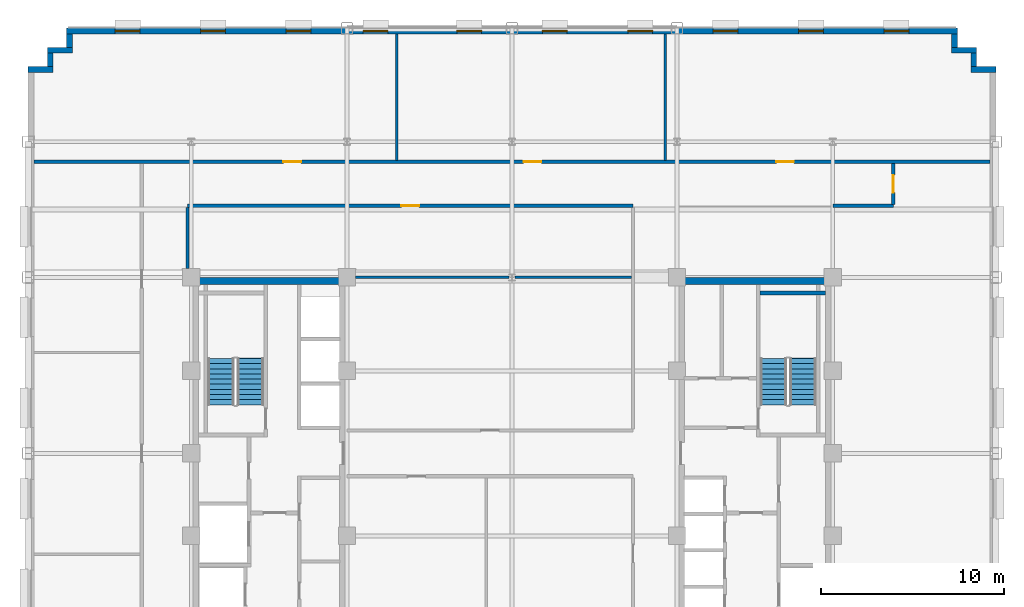
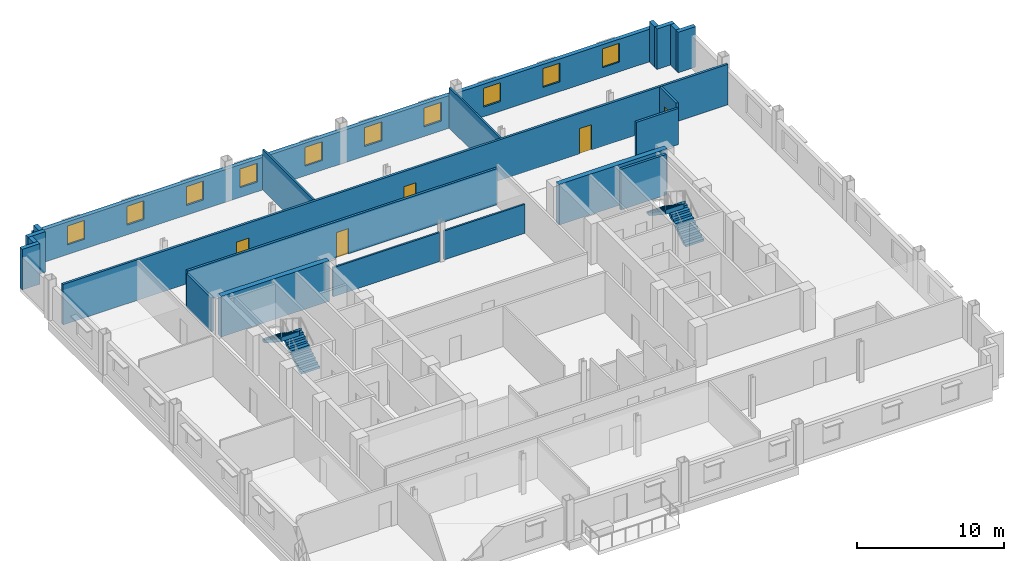
# One storey, part 9 of 13: 21 walls, 10 windows, 5 doors, 4 stair flights, 15 openings, 2 elements without a shape of their own.
"""IFC4 building model written with IfcOpenShell, lengths in metres."""

from ifc_helpers import new_model, si_unit, direction, frame, frame_2d, origin, place, context, subcontext, project, spatial, polyline, rectangle, outline, extrude, source, transform, mapped, material, layer, layer_set, type_object, type_shapes, element, fill, aggregate, save


model = new_model("IFC4")

# Units and contexts
model_context = context("Model", 3, precision=1e-05, world=origin(), true_north=direction((0.0, 1.0)))
body_context = subcontext(model_context, "Body", "Model", "MODEL_VIEW")
ifc_project = project(units=[si_unit("LENGTHUNIT", "METRE"), si_unit("AREAUNIT", "SQUARE_METRE"), si_unit("VOLUMEUNIT", "CUBIC_METRE"), si_unit("PLANEANGLEUNIT", "RADIAN"), si_unit("MASSUNIT", "GRAM", prefix="KILO")], contexts=[model_context])

# Site, building, storey
site_placement = place(None, origin())
site = spatial("IfcSite", under=ifc_project, at=site_placement, CompositionType="ELEMENT")
building_placement = place(site_placement, origin())
building = spatial("IfcBuilding", under=site, at=building_placement, Name="Nuvemarco Arch Tower", CompositionType="ELEMENT")
storey_placement = place(building_placement, frame((0.0, 0.0, 153.050048828125)))
storey = spatial("IfcBuildingStorey", under=building, at=storey_placement, Name="L40", CompositionType="ELEMENT", Elevation=153.050048828125)

# Walls
ifc_material_1 = material(Name="Precast concrete C45/55", Category="concrete")
ifc_layer_1 = layer(ifc_material_1, 0.320068359375, Name="EW-MID-320")
ifc_layer_set_1 = layer_set([ifc_layer_1], Name="Precast concrete C45/55")
wall_type_1 = type_object("IfcWallType", Name="EW-MID-320", PredefinedType="STANDARD", material=ifc_layer_set_1)
wall_1_placement = place(storey_placement, frame((25.030029296875, 20.93994140625, 0.0), z_axis=(0.0, 0.0, 1.0), x_axis=(1.0, 0.0, 0.0)))
element("IfcWall", 1, at=wall_1_placement, inside=storey, type_object=wall_type_1, Name="L40 exterior precast facade wall 7", PredefinedType="STANDARD", context=body_context, shape_type="SweptSolid", body=[
    extrude(rectangle(XDim=1.369873046875, YDim=0.320068359375, at=frame_2d((0.68505859375, 0.0))), origin(), (0.0, 0.0, 1.0), 3.35986328125),
])
wall_2_placement = place(storey_placement, frame((25.18994140625, 21.095947265625, 0.0), z_axis=(0.0, 0.0, 1.0), x_axis=(0.0, 1.0, 0.0)))
element("IfcWall", 2, at=wall_2_placement, inside=storey, type_object=wall_type_1, Name="L40 exterior precast facade wall 8", PredefinedType="STANDARD", context=body_context, shape_type="SweptSolid", body=[
    extrude(rectangle(XDim=0.738037109375, YDim=0.320068359375, at=frame_2d((0.369140625, 0.0))), origin(), (0.0, 0.0, 1.0), 3.35986328125),
])
wall_3_placement = place(storey_placement, frame((23.97998046875, 21.989990234375, 0.0), z_axis=(0.0, 0.0, 1.0), x_axis=(1.0, 0.0, 0.0)))
element("IfcWall", 3, at=wall_3_placement, inside=storey, type_object=wall_type_1, Name="L40 exterior precast facade wall 9", PredefinedType="STANDARD", context=body_context, shape_type="SweptSolid", body=[
    extrude(rectangle(XDim=1.3701171875, YDim=0.320068359375, at=frame_2d((0.68505859375, 0.0))), origin(), (0.0, 0.0, 1.0), 3.35986328125),
])
wall_4_placement = place(storey_placement, frame((24.139892578125, 22.14599609375, 0.0), z_axis=(0.0, 0.0, 1.0), x_axis=(0.0, 1.0, 0.0)))
element("IfcWall", 4, at=wall_4_placement, inside=storey, type_object=wall_type_1, Name="L40 exterior precast facade wall 10", PredefinedType="STANDARD", context=body_context, shape_type="SweptSolid", body=[
    extrude(rectangle(XDim=0.738037109375, YDim=0.320068359375, at=frame_2d((0.369140625, 0.0))), origin(), (0.0, 0.0, 1.0), 3.35986328125),
])

# Wall, openings, windows
wall_5_placement = place(storey_placement, frame((-24.300048828125, 23.0400390625, 0.0), z_axis=(0.0, 0.0, 1.0), x_axis=(1.0, 0.0, 0.0)))
wall_5 = element("IfcWall", 5, at=wall_5_placement, inside=storey, type_object=wall_type_1, Name="L40 exterior precast facade wall 11", PredefinedType="STANDARD", context=body_context, shape_type="SweptSolid", body=[
    extrude(rectangle(XDim=48.60009765625, YDim=0.320068359375, at=frame_2d((24.300048828125, 0.0))), origin(), (0.0, 0.0, 1.0), 2.704833984375),
])
opening_1_placement = place(wall_5_placement, frame((2.655029296875, 0.0, 0.800048828125)))
opening_1 = element("IfcOpeningElement", 6, at=opening_1_placement, cuts=wall_5, Name="Opening WN-6", PredefinedType="OPENING", context=body_context, shape_type="SweptSolid", body=[
    extrude(rectangle(XDim=1.35009765625, YDim=1.56005859375, at=frame_2d((0.675048828125, 0.780029296875))), frame((0.0, 0.169921875, 0.0), z_axis=(0.0, -1.0, 0.0), x_axis=(1.0, 0.0, 0.0)), (0.0, 0.0, 1.0), 0.340087890625),
])
opening_2_placement = place(wall_5_placement, frame((7.31494140625, 0.0, 0.800048828125)))
opening_2 = element("IfcOpeningElement", 7, at=opening_2_placement, cuts=wall_5, Name="Opening WN-6", PredefinedType="OPENING", context=body_context, shape_type="SweptSolid", body=[
    extrude(rectangle(XDim=1.35009765625, YDim=1.56005859375, at=frame_2d((0.675048828125, 0.780029296875))), frame((0.0, 0.169921875, 0.0), z_axis=(0.0, -1.0, 0.0), x_axis=(1.0, 0.0, 0.0)), (0.0, 0.0, 1.0), 0.340087890625),
])
opening_3_placement = place(wall_5_placement, frame((11.97509765625, 0.0, 0.800048828125)))
opening_3 = element("IfcOpeningElement", 8, at=opening_3_placement, cuts=wall_5, Name="Opening WN-6", PredefinedType="OPENING", context=body_context, shape_type="SweptSolid", body=[
    extrude(rectangle(XDim=1.35009765625, YDim=1.56005859375, at=frame_2d((0.675048828125, 0.780029296875))), frame((0.0, 0.169921875, 0.0), z_axis=(0.0, -1.0, 0.0), x_axis=(1.0, 0.0, 0.0)), (0.0, 0.0, 1.0), 0.340087890625),
])
opening_4_placement = place(wall_5_placement, frame((16.18505859375, 0.0, 0.800048828125)))
opening_4 = element("IfcOpeningElement", 9, at=opening_4_placement, cuts=wall_5, Name="Opening WN-6", PredefinedType="OPENING", context=body_context, shape_type="SweptSolid", body=[
    extrude(rectangle(XDim=1.35009765625, YDim=1.56005859375, at=frame_2d((0.675048828125, 0.780029296875))), frame((0.0, 0.169921875, 0.0), z_axis=(0.0, -1.0, 0.0), x_axis=(1.0, 0.0, 0.0)), (0.0, 0.0, 1.0), 0.340087890625),
])
opening_5_placement = place(wall_5_placement, frame((21.294921875, 0.0, 0.800048828125)))
opening_5 = element("IfcOpeningElement", 10, at=opening_5_placement, cuts=wall_5, Name="Opening WN-6", PredefinedType="OPENING", context=body_context, shape_type="SweptSolid", body=[
    extrude(rectangle(XDim=1.35009765625, YDim=1.56005859375, at=frame_2d((0.675048828125, 0.780029296875))), frame((0.0, 0.169921875, 0.0), z_axis=(0.0, -1.0, 0.0), x_axis=(1.0, 0.0, 0.0)), (0.0, 0.0, 1.0), 0.340087890625),
])
opening_6_placement = place(wall_5_placement, frame((25.955078125, 0.0, 0.800048828125)))
opening_6 = element("IfcOpeningElement", 11, at=opening_6_placement, cuts=wall_5, Name="Opening WN-6", PredefinedType="OPENING", context=body_context, shape_type="SweptSolid", body=[
    extrude(rectangle(XDim=1.35009765625, YDim=1.56005859375, at=frame_2d((0.675048828125, 0.780029296875))), frame((0.0, 0.169921875, 0.0), z_axis=(0.0, -1.0, 0.0), x_axis=(1.0, 0.0, 0.0)), (0.0, 0.0, 1.0), 0.340087890625),
])
opening_7_placement = place(wall_5_placement, frame((30.614990234375, 0.0, 0.800048828125)))
opening_7 = element("IfcOpeningElement", 12, at=opening_7_placement, cuts=wall_5, Name="Opening WN-6", PredefinedType="OPENING", context=body_context, shape_type="SweptSolid", body=[
    extrude(rectangle(XDim=1.35009765625, YDim=1.56005859375, at=frame_2d((0.675048828125, 0.780029296875))), frame((0.0, 0.169921875, 0.0), z_axis=(0.0, -1.0, 0.0), x_axis=(1.0, 0.0, 0.0)), (0.0, 0.0, 1.0), 0.340087890625),
])
opening_8_placement = place(wall_5_placement, frame((35.27490234375, 0.0, 0.800048828125)))
opening_8 = element("IfcOpeningElement", 13, at=opening_8_placement, cuts=wall_5, Name="Opening WN-6", PredefinedType="OPENING", context=body_context, shape_type="SweptSolid", body=[
    extrude(rectangle(XDim=1.35009765625, YDim=1.56005859375, at=frame_2d((0.675048828125, 0.780029296875))), frame((0.0, 0.169921875, 0.0), z_axis=(0.0, -1.0, 0.0), x_axis=(1.0, 0.0, 0.0)), (0.0, 0.0, 1.0), 0.340087890625),
])
opening_9_placement = place(wall_5_placement, frame((39.93505859375, 0.0, 0.800048828125)))
opening_9 = element("IfcOpeningElement", 14, at=opening_9_placement, cuts=wall_5, Name="Opening WN-6", PredefinedType="OPENING", context=body_context, shape_type="SweptSolid", body=[
    extrude(rectangle(XDim=1.35009765625, YDim=1.56005859375, at=frame_2d((0.675048828125, 0.780029296875))), frame((0.0, 0.169921875, 0.0), z_axis=(0.0, -1.0, 0.0), x_axis=(1.0, 0.0, 0.0)), (0.0, 0.0, 1.0), 0.340087890625),
])
opening_10_placement = place(wall_5_placement, frame((44.594970703125, 0.0, 0.800048828125)))
opening_10 = element("IfcOpeningElement", 15, at=opening_10_placement, cuts=wall_5, Name="Opening WN-6", PredefinedType="OPENING", context=body_context, shape_type="SweptSolid", body=[
    extrude(rectangle(XDim=1.35009765625, YDim=1.56005859375, at=frame_2d((0.675048828125, 0.780029296875))), frame((0.0, 0.169921875, 0.0), z_axis=(0.0, -1.0, 0.0), x_axis=(1.0, 0.0, 0.0)), (0.0, 0.0, 1.0), 0.340087890625),
])
ifc_material_2 = material(Name="Insulated solar-control glass", Category="glass")
window_type = type_object("IfcWindowType", Name="WN-MID-1350x1560", PartitioningType="SINGLE_PANEL", PredefinedType="WINDOW", material=ifc_material_2)
shared_shape_1 = source(origin(), body_context, "Body", "SweptSolid", [
    extrude(rectangle(XDim=1.35009765625, YDim=1.56005859375, at=frame_2d((0.675048828125, 0.780029296875))), frame((0.0, 0.030029296875, 0.0), z_axis=(0.0, -1.0, 0.0), x_axis=(1.0, 0.0, 0.0)), (0.0, 0.0, 1.0), 0.06005859375),
])
type_shapes(window_type, [shared_shape_1])
window_1_placement = place(opening_1_placement, origin())
window_1 = element("IfcWindow", 16, at=window_1_placement, inside=storey, type_object=window_type, Name="L40 punched facade window 1", OverallHeight=1.56005859375, OverallWidth=1.35009765625, PartitioningType="SINGLE_PANEL", PredefinedType="WINDOW", context=body_context, shape_type="MappedRepresentation", body=[
    mapped(shared_shape_1, transform((0.0, 0.0, 0.0), scale=1.0)),
])
fill(opening_1, window_1)
window_2_placement = place(opening_2_placement, origin())
window_2 = element("IfcWindow", 17, at=window_2_placement, inside=storey, type_object=window_type, Name="L40 punched facade window 2", OverallHeight=1.56005859375, OverallWidth=1.35009765625, PartitioningType="SINGLE_PANEL", PredefinedType="WINDOW", context=body_context, shape_type="MappedRepresentation", body=[
    mapped(shared_shape_1, transform((0.0, 0.0, 0.0), scale=1.0)),
])
fill(opening_2, window_2)
window_3_placement = place(opening_3_placement, origin())
window_3 = element("IfcWindow", 18, at=window_3_placement, inside=storey, type_object=window_type, Name="L40 punched facade window 3", OverallHeight=1.56005859375, OverallWidth=1.35009765625, PartitioningType="SINGLE_PANEL", PredefinedType="WINDOW", context=body_context, shape_type="MappedRepresentation", body=[
    mapped(shared_shape_1, transform((0.0, 0.0, 0.0), scale=1.0)),
])
fill(opening_3, window_3)
window_4_placement = place(opening_4_placement, origin())
window_4 = element("IfcWindow", 19, at=window_4_placement, inside=storey, type_object=window_type, Name="L40 punched facade window 4", OverallHeight=1.56005859375, OverallWidth=1.35009765625, PartitioningType="SINGLE_PANEL", PredefinedType="WINDOW", context=body_context, shape_type="MappedRepresentation", body=[
    mapped(shared_shape_1, transform((0.0, 0.0, 0.0), scale=1.0)),
])
fill(opening_4, window_4)
window_5_placement = place(opening_5_placement, origin())
window_5 = element("IfcWindow", 20, at=window_5_placement, inside=storey, type_object=window_type, Name="L40 punched facade window 5", OverallHeight=1.56005859375, OverallWidth=1.35009765625, PartitioningType="SINGLE_PANEL", PredefinedType="WINDOW", context=body_context, shape_type="MappedRepresentation", body=[
    mapped(shared_shape_1, transform((0.0, 0.0, 0.0), scale=1.0)),
])
fill(opening_5, window_5)
window_6_placement = place(opening_6_placement, origin())
window_6 = element("IfcWindow", 21, at=window_6_placement, inside=storey, type_object=window_type, Name="L40 punched facade window 6", OverallHeight=1.56005859375, OverallWidth=1.35009765625, PartitioningType="SINGLE_PANEL", PredefinedType="WINDOW", context=body_context, shape_type="MappedRepresentation", body=[
    mapped(shared_shape_1, transform((0.0, 0.0, 0.0), scale=1.0)),
])
fill(opening_6, window_6)
window_7_placement = place(opening_7_placement, origin())
window_7 = element("IfcWindow", 22, at=window_7_placement, inside=storey, type_object=window_type, Name="L40 punched facade window 7", OverallHeight=1.56005859375, OverallWidth=1.35009765625, PartitioningType="SINGLE_PANEL", PredefinedType="WINDOW", context=body_context, shape_type="MappedRepresentation", body=[
    mapped(shared_shape_1, transform((0.0, 0.0, 0.0), scale=1.0)),
])
fill(opening_7, window_7)
window_8_placement = place(opening_8_placement, origin())
window_8 = element("IfcWindow", 23, at=window_8_placement, inside=storey, type_object=window_type, Name="L40 punched facade window 8", OverallHeight=1.56005859375, OverallWidth=1.35009765625, PartitioningType="SINGLE_PANEL", PredefinedType="WINDOW", context=body_context, shape_type="MappedRepresentation", body=[
    mapped(shared_shape_1, transform((0.0, 0.0, 0.0), scale=1.0)),
])
fill(opening_8, window_8)
window_9_placement = place(opening_9_placement, origin())
window_9 = element("IfcWindow", 24, at=window_9_placement, inside=storey, type_object=window_type, Name="L40 punched facade window 9", OverallHeight=1.56005859375, OverallWidth=1.35009765625, PartitioningType="SINGLE_PANEL", PredefinedType="WINDOW", context=body_context, shape_type="MappedRepresentation", body=[
    mapped(shared_shape_1, transform((0.0, 0.0, 0.0), scale=1.0)),
])
fill(opening_9, window_9)
window_10_placement = place(opening_10_placement, origin())
window_10 = element("IfcWindow", 25, at=window_10_placement, inside=storey, type_object=window_type, Name="L40 punched facade window 10", OverallHeight=1.56005859375, OverallWidth=1.35009765625, PartitioningType="SINGLE_PANEL", PredefinedType="WINDOW", context=body_context, shape_type="MappedRepresentation", body=[
    mapped(shared_shape_1, transform((0.0, 0.0, 0.0), scale=1.0)),
])
fill(opening_10, window_10)

# Walls
wall_6_placement = place(storey_placement, frame((-24.139892578125, 22.14599609375, 0.0), z_axis=(0.0, 0.0, 1.0), x_axis=(0.0, 1.0, 0.0)))
element("IfcWall", 26, at=wall_6_placement, inside=storey, type_object=wall_type_1, Name="L40 exterior precast facade wall 12", PredefinedType="STANDARD", context=body_context, shape_type="SweptSolid", body=[
    extrude(rectangle(XDim=0.738037109375, YDim=0.320068359375, at=frame_2d((0.369140625, 0.0))), origin(), (0.0, 0.0, 1.0), 3.35986328125),
])
wall_7_placement = place(storey_placement, frame((-25.35009765625, 21.989990234375, 0.0), z_axis=(0.0, 0.0, 1.0), x_axis=(1.0, 0.0, 0.0)))
element("IfcWall", 27, at=wall_7_placement, inside=storey, type_object=wall_type_1, Name="L40 exterior precast facade wall 13", PredefinedType="STANDARD", context=body_context, shape_type="SweptSolid", body=[
    extrude(rectangle(XDim=1.3701171875, YDim=0.320068359375, at=frame_2d((0.68505859375, 0.0))), origin(), (0.0, 0.0, 1.0), 3.35986328125),
])
wall_8_placement = place(storey_placement, frame((-25.18994140625, 21.095947265625, 0.0), z_axis=(0.0, 0.0, 1.0), x_axis=(0.0, 1.0, 0.0)))
element("IfcWall", 28, at=wall_8_placement, inside=storey, type_object=wall_type_1, Name="L40 exterior precast facade wall 14", PredefinedType="STANDARD", context=body_context, shape_type="SweptSolid", body=[
    extrude(rectangle(XDim=0.738037109375, YDim=0.320068359375, at=frame_2d((0.369140625, 0.0))), origin(), (0.0, 0.0, 1.0), 3.35986328125),
])
wall_9_placement = place(storey_placement, frame((-26.39990234375, 20.93994140625, 0.0), z_axis=(0.0, 0.0, 1.0), x_axis=(1.0, 0.0, 0.0)))
element("IfcWall", 29, at=wall_9_placement, inside=storey, type_object=wall_type_1, Name="L40 exterior precast facade wall 15", PredefinedType="STANDARD", context=body_context, shape_type="SweptSolid", body=[
    extrude(rectangle(XDim=1.369873046875, YDim=0.320068359375, at=frame_2d((0.68505859375, 0.0))), origin(), (0.0, 0.0, 1.0), 3.35986328125),
])
ifc_material_3 = material(Name="Concrete C60/75", Category="concrete")
ifc_layer_2 = layer(ifc_material_3, 0.39990234375, Name="WL-CORE-400")
ifc_layer_set_2 = layer_set([ifc_layer_2], Name="Concrete C60/75")
wall_type_2 = type_object("IfcWallType", Name="WL-CORE-400", PredefinedType="SHEAR", material=ifc_layer_set_2)
for number, where, z_axis, x_axis, name in (
    (30, (-17.5, 9.39990234375, 0.0), (0.0, 0.0, 1.0), (1.0, 0.0, 0.0), "L40 W-core shear wall N"),
    (31, (9.0, 9.39990234375, 0.0), (0.0, 0.0, 1.0), (1.0, 0.0, 0.0), "L40 E-core shear wall N"),
):
    element("IfcWall", number, at=place(storey_placement, frame(where, z_axis=z_axis, x_axis=x_axis)), inside=storey, type_object=wall_type_2, Name=name, PredefinedType="SHEAR", context=body_context, shape_type="SweptSolid", body=[
        extrude(rectangle(XDim=8.5, YDim=0.39990234375, at=frame_2d((4.25, 0.0))), origin(), (0.0, 0.0, 1.0), 3.369873046875),
    ])

# Wall, opening, door
ifc_material_4 = material(Name="Fire-rated gypsum drywall partition")
ifc_layer_3 = layer(ifc_material_4, 0.179931640625, Name="WL-CORR-180")
ifc_layer_set_3 = layer_set([ifc_layer_3], Name="Fire-rated gypsum drywall partition")
wall_type_3 = type_object("IfcWallType", Name="WL-CORR-180", PredefinedType="PARTITIONING", material=ifc_layer_set_3)
wall_10_placement = place(storey_placement, frame((-17.699951171875, 13.5, 0.0), z_axis=(0.0, 0.0, 1.0), x_axis=(1.0, 0.0, 0.0)))
wall_10 = element("IfcWall", 32, at=wall_10_placement, inside=storey, type_object=wall_type_3, Name="L40 interior wall IW-L40-012", PredefinedType="PARTITIONING", context=body_context, shape_type="SweptSolid", body=[
    extrude(rectangle(XDim=24.300048828125, YDim=0.179931640625, at=frame_2d((12.14990234375, 0.0))), origin(), (0.0, 0.0, 1.0), 2.998046875),
])
opening_11_placement = place(wall_10_placement, frame((11.669921875, 0.0, 0.0)))
opening_11 = element("IfcOpeningElement", 33, at=opening_11_placement, cuts=wall_10, Name="Opening FD-5", PredefinedType="OPENING", context=body_context, shape_type="SweptSolid", body=[
    extrude(rectangle(XDim=0.9599609375, YDim=2.10009765625, at=frame_2d((0.47998046875, 1.050048828125))), frame((0.0, 0.099853515625, 0.0), z_axis=(0.0, -1.0, 0.0), x_axis=(1.0, 0.0, 0.0)), (0.0, 0.0, 1.0), 0.199951171875),
])
ifc_material_5 = material(Name="Timber fire door", Category="wood")
door_type = type_object("IfcDoorType", Name="DR-CORR-FD", OperationType="NOTDEFINED", PredefinedType="DOOR", material=ifc_material_5)
shared_shape_2 = source(origin(), body_context, "Body", "SweptSolid", [
    extrude(rectangle(XDim=0.9599609375, YDim=2.10009765625, at=frame_2d((0.47998046875, 1.050048828125))), frame((0.0, 0.02490234375, 0.0), z_axis=(0.0, -1.0, 0.0), x_axis=(1.0, 0.0, 0.0)), (0.0, 0.0, 1.0), 0.050048828125),
])
type_shapes(door_type, [shared_shape_2])
door_1_placement = place(opening_11_placement, origin())
door_1 = element("IfcDoor", 34, at=door_1_placement, inside=storey, type_object=door_type, Name="L40 door DR-L40-IN_N1", OperationType="SINGLE_SWING_RIGHT", OverallHeight=2.10009765625, OverallWidth=0.9599609375, PredefinedType="DOOR", context=body_context, shape_type="MappedRepresentation", body=[
    mapped(shared_shape_2, transform((0.0, 0.0, 0.0), scale=1.0)),
])
fill(opening_11, door_1)

# Wall
wall_11_placement = place(storey_placement, frame((17.5, 13.5, 0.0), z_axis=(0.0, 0.0, 1.0), x_axis=(1.0, 0.0, 0.0)))
element("IfcWall", 35, at=wall_11_placement, inside=storey, type_object=wall_type_3, Name="L40 interior wall IW-L40-013", PredefinedType="PARTITIONING", context=body_context, shape_type="SweptSolid", body=[
    extrude(rectangle(XDim=3.300048828125, YDim=0.179931640625, at=frame_2d((1.64990234375, 0.0))), origin(), (0.0, 0.0, 1.0), 2.998046875),
])

# Wall, openings, doors
wall_12_placement = place(storey_placement, frame((-26.080078125, 15.89990234375, 0.0), z_axis=(0.0, 0.0, 1.0), x_axis=(1.0, 0.0, 0.0)))
wall_12 = element("IfcWall", 36, at=wall_12_placement, inside=storey, type_object=wall_type_3, Name="L40 interior wall IW-L40-014", PredefinedType="PARTITIONING", context=body_context, shape_type="SweptSolid", body=[
    extrude(rectangle(XDim=52.16015625, YDim=0.179931640625, at=frame_2d((26.080078125, 0.0))), origin(), (0.0, 0.0, 1.0), 3.35986328125),
])
opening_12_placement = place(wall_12_placement, frame((26.719970703125, 0.0, 0.0)))
opening_12 = element("IfcOpeningElement", 37, at=opening_12_placement, cuts=wall_12, Name="Opening FD-5", PredefinedType="OPENING", context=body_context, shape_type="SweptSolid", body=[
    extrude(rectangle(XDim=0.9599609375, YDim=2.10009765625, at=frame_2d((0.47998046875, 1.050048828125))), frame((0.0, 0.099853515625, 0.0), z_axis=(0.0, -1.0, 0.0), x_axis=(1.0, 0.0, 0.0)), (0.0, 0.0, 1.0), 0.199951171875),
])
opening_13_placement = place(wall_12_placement, frame((40.5, 0.0, 0.0)))
opening_13 = element("IfcOpeningElement", 38, at=opening_13_placement, cuts=wall_12, Name="Opening FD-5", PredefinedType="OPENING", context=body_context, shape_type="SweptSolid", body=[
    extrude(rectangle(XDim=0.9599609375, YDim=2.10009765625, at=frame_2d((0.47998046875, 1.050048828125))), frame((0.0, 0.099853515625, 0.0), z_axis=(0.0, -1.0, 0.0), x_axis=(1.0, 0.0, 0.0)), (0.0, 0.0, 1.0), 0.199951171875),
])
opening_14_placement = place(wall_12_placement, frame((13.610107421875, 0.0, 0.0)))
opening_14 = element("IfcOpeningElement", 39, at=opening_14_placement, cuts=wall_12, Name="Opening FD-5", PredefinedType="OPENING", context=body_context, shape_type="SweptSolid", body=[
    extrude(rectangle(XDim=0.9599609375, YDim=2.10009765625, at=frame_2d((0.47998046875, 1.050048828125))), frame((0.0, 0.099853515625, 0.0), z_axis=(0.0, -1.0, 0.0), x_axis=(1.0, 0.0, 0.0)), (0.0, 0.0, 1.0), 0.199951171875),
])
door_2_placement = place(opening_12_placement, origin())
door_2 = element("IfcDoor", 40, at=door_2_placement, inside=storey, type_object=door_type, Name="L40 door DR-L40-N_2", OperationType="SINGLE_SWING_LEFT", OverallHeight=2.10009765625, OverallWidth=0.9599609375, PredefinedType="DOOR", context=body_context, shape_type="MappedRepresentation", body=[
    mapped(shared_shape_2, transform((0.0, 0.0, 0.0), scale=1.0)),
])
fill(opening_12, door_2)
door_3_placement = place(opening_13_placement, origin())
door_3 = element("IfcDoor", 41, at=door_3_placement, inside=storey, type_object=door_type, Name="L40 door DR-L40-N_3", OperationType="SINGLE_SWING_LEFT", OverallHeight=2.10009765625, OverallWidth=0.9599609375, PredefinedType="DOOR", context=body_context, shape_type="MappedRepresentation", body=[
    mapped(shared_shape_2, transform((0.0, 0.0, 0.0), scale=1.0)),
])
fill(opening_13, door_3)
door_4_placement = place(opening_14_placement, origin())
door_4 = element("IfcDoor", 42, at=door_4_placement, inside=storey, type_object=door_type, Name="L40 door DR-L40-N_1", OperationType="SINGLE_SWING_LEFT", OverallHeight=2.10009765625, OverallWidth=0.9599609375, PredefinedType="DOOR", context=body_context, shape_type="MappedRepresentation", body=[
    mapped(shared_shape_2, transform((0.0, 0.0, 0.0), scale=1.0)),
])
fill(opening_14, door_4)

# Wall
wall_13_placement = place(storey_placement, frame((-17.699951171875, 10.071044921875, 0.0), z_axis=(0.0, 0.0, 1.0), x_axis=(0.0, 1.0, 0.0)))
element("IfcWall", 43, at=wall_13_placement, inside=storey, type_object=wall_type_3, Name="L40 interior wall IW-L40-018", PredefinedType="PARTITIONING", context=body_context, shape_type="SweptSolid", body=[
    extrude(rectangle(XDim=3.343017578125, YDim=0.179931640625, at=frame_2d((1.67138671875, 0.0))), origin(), (0.0, 0.0, 1.0), 2.81591796875),
])

# Wall, opening, door
wall_14_placement = place(storey_placement, frame((20.800048828125, 13.5859375, 0.0), z_axis=(0.0, 0.0, 1.0), x_axis=(0.0, 1.0, 0.0)))
wall_14 = element("IfcWall", 44, at=wall_14_placement, inside=storey, type_object=wall_type_3, Name="L40 interior wall IW-L40-031", PredefinedType="PARTITIONING", context=body_context, shape_type="SweptSolid", body=[
    extrude(rectangle(XDim=2.22802734375, YDim=0.179931640625, at=frame_2d((1.114013671875, 0.0))), origin(), (0.0, 0.0, 1.0), 3.35986328125),
])
opening_15_placement = place(wall_14_placement, frame((0.634033203125, 0.0, 0.0)))
opening_15 = element("IfcOpeningElement", 45, at=opening_15_placement, cuts=wall_14, Name="Opening FD-5", PredefinedType="OPENING", context=body_context, shape_type="SweptSolid", body=[
    extrude(rectangle(XDim=0.9599609375, YDim=2.10009765625, at=frame_2d((0.47998046875, 1.050048828125))), frame((0.0, 0.099853515625, 0.0), z_axis=(0.0, -1.0, 0.0), x_axis=(1.0, 0.0, 0.0)), (0.0, 0.0, 1.0), 0.199951171875),
])
door_5_placement = place(opening_15_placement, origin())
door_5 = element("IfcDoor", 46, at=door_5_placement, inside=storey, type_object=door_type, Name="L40 door DR-L40-E_1", OperationType="SINGLE_SWING_RIGHT", OverallHeight=2.10009765625, OverallWidth=0.9599609375, PredefinedType="DOOR", context=body_context, shape_type="MappedRepresentation", body=[
    mapped(shared_shape_2, transform((0.0, 0.0, 0.0), scale=1.0)),
])
fill(opening_15, door_5)

# Walls
ifc_material_6 = material(Name="Gypsum plasterboard partition")
ifc_layer_4 = layer(ifc_material_6, 0.139892578125, Name="WL-ROOM-140")
ifc_layer_set_4 = layer_set([ifc_layer_4], Name="Gypsum plasterboard partition")
wall_type_4 = type_object("IfcWallType", Name="WL-ROOM-140", PredefinedType="PARTITIONING", material=ifc_layer_set_4)
wall_15_placement = place(storey_placement, frame((-8.529052734375, 9.60009765625, 0.0), z_axis=(0.0, 0.0, 1.0), x_axis=(1.0, 0.0, 0.0)))
element("IfcWall", 47, at=wall_15_placement, inside=storey, type_object=wall_type_4, Name="L40 interior wall IW-L40-010", PredefinedType="PARTITIONING", context=body_context, shape_type="SweptSolid", body=[
    extrude(rectangle(XDim=8.35302734375, YDim=0.139892578125, at=frame_2d((4.176513671875, 0.0))), origin(), (0.0, 0.0, 1.0), 2.405029296875),
])
wall_16_placement = place(storey_placement, frame((0.176025390625, 9.60009765625, 0.0), z_axis=(0.0, 0.0, 1.0), x_axis=(1.0, 0.0, 0.0)))
element("IfcWall", 48, at=wall_16_placement, inside=storey, type_object=wall_type_4, Name="L40 interior wall IW-L40-011", PredefinedType="PARTITIONING", context=body_context, shape_type="SweptSolid", body=[
    extrude(rectangle(XDim=6.337890625, YDim=0.139892578125, at=frame_2d((3.1689453125, 0.0))), origin(), (0.0, 0.0, 1.0), 2.405029296875),
])
for number, where, z_axis, x_axis, name in (
    (49, (-6.280029296875, 15.986083984375, 0.0), (0.0, 0.0, 1.0), (0.0, 1.0, 0.0), "L40 interior wall IW-L40-020"),
    (50, (8.35009765625, 15.986083984375, 0.0), (0.0, 0.0, 1.0), (0.0, 1.0, 0.0), "L40 interior wall IW-L40-029"),
):
    element("IfcWall", number, at=place(storey_placement, frame(where, z_axis=z_axis, x_axis=x_axis)), inside=storey, type_object=wall_type_4, Name=name, PredefinedType="PARTITIONING", context=body_context, shape_type="SweptSolid", body=[
        extrude(rectangle(XDim=6.893798828125, YDim=0.139892578125, at=frame_2d((3.44677734375, 0.0))), origin(), (0.0, 0.0, 1.0), 3.35986328125),
    ])
ifc_material_7 = material(Name="Concrete C50/60", Category="concrete")
ifc_layer_5 = layer(ifc_material_7, 0.199951171875, Name="WL-SHAFT-220")
ifc_layer_set_5 = layer_set([ifc_layer_5], Name="Concrete C50/60")
wall_type_5 = type_object("IfcWallType", Name="WL-SHAFT-220", PredefinedType="SHEAR", material=ifc_layer_set_5)
wall_17_placement = place(storey_placement, frame((13.534912109375, 8.75, 0.0), z_axis=(0.0, 0.0, 1.0), x_axis=(1.0, 0.0, 0.0)))
element("IfcWall", 51, at=wall_17_placement, inside=storey, type_object=wall_type_5, Name="L40 structural shaft wall SW-L40-E-ST2N", PredefinedType="SHEAR", context=body_context, shape_type="SweptSolid", body=[
    extrude(rectangle(XDim=3.570068359375, YDim=0.199951171875, at=frame_2d((1.78515625, 0.0))), origin(), (0.0, 0.0, 1.0), 3.369873046875),
])

# Stair, stair flights
stair_type = type_object("IfcStairType", Name="ST-CORE-20R", PredefinedType="HALF_TURN_STAIR", material=ifc_material_1)
stair_1_placement = place(storey_placement, origin())
stair_1 = element("IfcStair", 52, at=stair_1_placement, inside=storey, type_object=stair_type, Name="L40 Protected Exit Stair ST-1", PredefinedType="HALF_TURN_STAIR")
stair_flight_type = type_object("IfcStairFlightType", Name="SF-CORE-20R", PredefinedType="STRAIGHT", material=ifc_material_1)
stair_flight_1_placement = place(storey_placement, frame((-14.264892578125, 2.64990234375, 0.0), z_axis=(0.0, 0.0, 1.0), x_axis=(0.0, 1.0, 0.0)))
stair_flight_1 = element("IfcStairFlight", 53, at=stair_flight_1_placement, type_object=stair_flight_type, Name="ST-20R flight 1", NumberOfRisers=10, NumberOfTreads=9, PredefinedType="STRAIGHT", RiserHeight=0.1825, TreadLength=0.28, context=body_context, shape_type="SweptSolid", body=[
    extrude(outline(polyline([(0.0, 0.0), (0.0, 0.1826171875), (0.280029296875, 0.1826171875), (0.280029296875, 0.364990234375), (0.56005859375, 0.364990234375), (0.56005859375, 0.547607421875), (0.840087890625, 0.547607421875), (0.840087890625, 0.72998046875), (1.1201171875, 0.72998046875), (1.1201171875, 0.91259765625), (1.39990234375, 0.91259765625), (1.39990234375, 1.094970703125), (1.679931640625, 1.094970703125), (1.679931640625, 1.277587890625), (1.9599609375, 1.277587890625), (1.9599609375, 1.4599609375), (2.239990234375, 1.4599609375), (2.239990234375, 1.642578125), (2.52001953125, 1.642578125), (2.52001953125, 1.824951171875), (2.5400390625, 1.824951171875), (2.5400390625, 1.45166015625), (0.312744140625, 0.0), (0.0, 0.0)])), frame((0.0, 0.72509765625, 0.0), z_axis=(0.0, -1.0, 0.0), x_axis=(1.0, 0.0, 0.0)), (0.0, 0.0, 1.0), 1.449951171875),
])
stair_flight_2_placement = place(storey_placement, frame((-15.875, 5.169921875, 1.824951171875), z_axis=(0.0, 0.0, 1.0), x_axis=(0.0, -1.0, 0.0)))
stair_flight_2 = element("IfcStairFlight", 54, at=stair_flight_2_placement, type_object=stair_flight_type, Name="ST-20R flight 2", NumberOfRisers=10, NumberOfTreads=9, PredefinedType="STRAIGHT", RiserHeight=0.1825, TreadLength=0.28, context=body_context, shape_type="SweptSolid", body=[
    extrude(outline(polyline([(0.0, 0.0), (0.0, 0.1826171875), (0.280029296875, 0.1826171875), (0.280029296875, 0.364990234375), (0.56005859375, 0.364990234375), (0.56005859375, 0.547607421875), (0.840087890625, 0.547607421875), (0.840087890625, 0.72998046875), (1.1201171875, 0.72998046875), (1.1201171875, 0.91259765625), (1.39990234375, 0.91259765625), (1.39990234375, 1.094970703125), (1.679931640625, 1.094970703125), (1.679931640625, 1.277587890625), (1.9599609375, 1.277587890625), (1.9599609375, 1.4599609375), (2.239990234375, 1.4599609375), (2.239990234375, 1.642578125), (2.52001953125, 1.642578125), (2.52001953125, 1.824951171875), (2.5400390625, 1.824951171875), (2.5400390625, 1.45166015625), (0.312744140625, 0.0), (0.0, 0.0)])), frame((0.0, 0.72509765625, 0.0), z_axis=(0.0, -1.0, 0.0), x_axis=(1.0, 0.0, 0.0)), (0.0, 0.0, 1.0), 1.449951171875),
])
aggregate(stair_1, [stair_flight_1, stair_flight_2])

stair_2_placement = place(storey_placement, origin())
stair_2 = element("IfcStair", 55, at=stair_2_placement, inside=storey, type_object=stair_type, Name="L40 Protected Exit Stair ST-2", PredefinedType="HALF_TURN_STAIR")
stair_flight_3_placement = place(storey_placement, frame((15.875, 2.64990234375, 0.0), z_axis=(0.0, 0.0, 1.0), x_axis=(0.0, 1.0, 0.0)))
stair_flight_3 = element("IfcStairFlight", 56, at=stair_flight_3_placement, type_object=stair_flight_type, Name="ST-20R flight 1", NumberOfRisers=10, NumberOfTreads=9, PredefinedType="STRAIGHT", RiserHeight=0.1825, TreadLength=0.28, context=body_context, shape_type="SweptSolid", body=[
    extrude(outline(polyline([(0.0, 0.0), (0.0, 0.1826171875), (0.280029296875, 0.1826171875), (0.280029296875, 0.364990234375), (0.56005859375, 0.364990234375), (0.56005859375, 0.547607421875), (0.840087890625, 0.547607421875), (0.840087890625, 0.72998046875), (1.1201171875, 0.72998046875), (1.1201171875, 0.91259765625), (1.39990234375, 0.91259765625), (1.39990234375, 1.094970703125), (1.679931640625, 1.094970703125), (1.679931640625, 1.277587890625), (1.9599609375, 1.277587890625), (1.9599609375, 1.4599609375), (2.239990234375, 1.4599609375), (2.239990234375, 1.642578125), (2.52001953125, 1.642578125), (2.52001953125, 1.824951171875), (2.5400390625, 1.824951171875), (2.5400390625, 1.45166015625), (0.312744140625, 0.0), (0.0, 0.0)])), frame((0.0, 0.72509765625, 0.0), z_axis=(0.0, -1.0, 0.0), x_axis=(1.0, 0.0, 0.0)), (0.0, 0.0, 1.0), 1.449951171875),
])
stair_flight_4_placement = place(storey_placement, frame((14.264892578125, 5.169921875, 1.824951171875), z_axis=(0.0, 0.0, 1.0), x_axis=(0.0, -1.0, 0.0)))
stair_flight_4 = element("IfcStairFlight", 57, at=stair_flight_4_placement, type_object=stair_flight_type, Name="ST-20R flight 2", NumberOfRisers=10, NumberOfTreads=9, PredefinedType="STRAIGHT", RiserHeight=0.1825, TreadLength=0.28, context=body_context, shape_type="SweptSolid", body=[
    extrude(outline(polyline([(0.0, 0.0), (0.0, 0.1826171875), (0.280029296875, 0.1826171875), (0.280029296875, 0.364990234375), (0.56005859375, 0.364990234375), (0.56005859375, 0.547607421875), (0.840087890625, 0.547607421875), (0.840087890625, 0.72998046875), (1.1201171875, 0.72998046875), (1.1201171875, 0.91259765625), (1.39990234375, 0.91259765625), (1.39990234375, 1.094970703125), (1.679931640625, 1.094970703125), (1.679931640625, 1.277587890625), (1.9599609375, 1.277587890625), (1.9599609375, 1.4599609375), (2.239990234375, 1.4599609375), (2.239990234375, 1.642578125), (2.52001953125, 1.642578125), (2.52001953125, 1.824951171875), (2.5400390625, 1.824951171875), (2.5400390625, 1.45166015625), (0.312744140625, 0.0), (0.0, 0.0)])), frame((0.0, 0.72509765625, 0.0), z_axis=(0.0, -1.0, 0.0), x_axis=(1.0, 0.0, 0.0)), (0.0, 0.0, 1.0), 1.449951171875),
])
aggregate(stair_2, [stair_flight_3, stair_flight_4])

save(model, "model.ifc")
